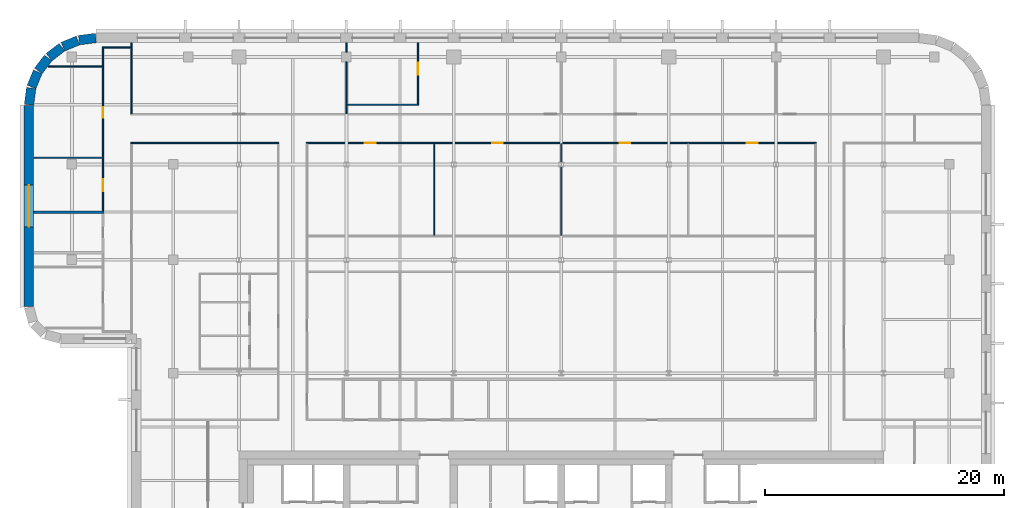
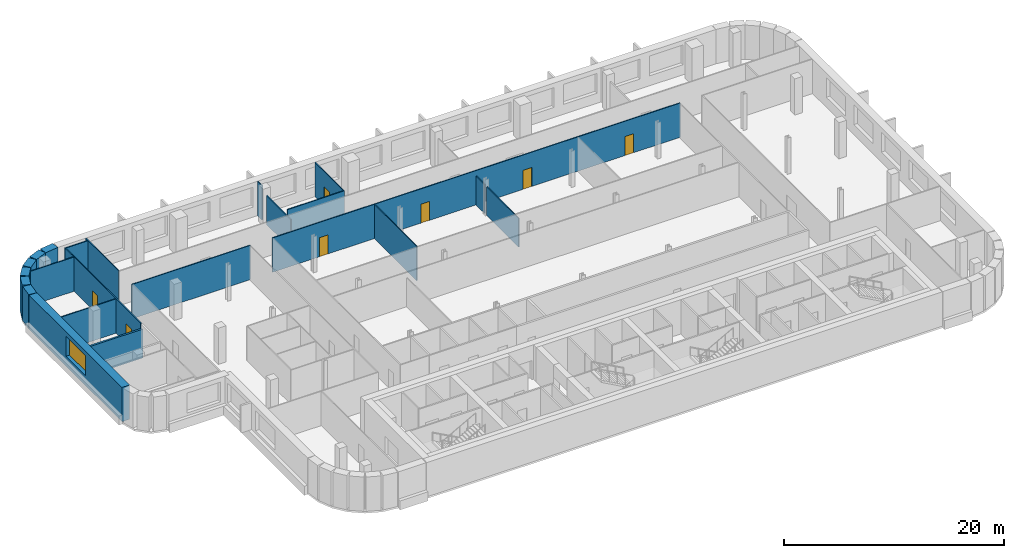
# One storey, part 10 of 16: 22 walls, 7 doors, 1 window, 8 openings.
"""IFC4 building model written with IfcOpenShell, lengths in metres."""

from ifc_helpers import new_model, si_unit, direction, frame, frame_2d, origin, place, context, subcontext, project, spatial, rectangle, extrude, material, layer, layer_set, type_object, element, fill, save


model = new_model("IFC4")

# Units and contexts
model_context = context("Model", 3, precision=1e-05, world=origin(), true_north=direction((0.0, 1.0)))
body_context = subcontext(model_context, "Body", "Model", "MODEL_VIEW")
ifc_project = project(units=[si_unit("LENGTHUNIT", "METRE"), si_unit("AREAUNIT", "SQUARE_METRE"), si_unit("VOLUMEUNIT", "CUBIC_METRE"), si_unit("PLANEANGLEUNIT", "RADIAN"), si_unit("MASSUNIT", "GRAM", prefix="KILO")], contexts=[model_context])

# Site, building, storey
site_placement = place(None, origin())
site = spatial("IfcSite", under=ifc_project, at=site_placement, CompositionType="ELEMENT")
building_placement = place(site_placement, origin())
building = spatial("IfcBuilding", under=site, at=building_placement, Name="Zellij Exchange Tower", CompositionType="ELEMENT")
storey_placement = place(building_placement, frame((0.0, 0.0, 236.5)))
storey = spatial("IfcBuildingStorey", under=building, at=storey_placement, Name="L55", CompositionType="ELEMENT", Elevation=236.5)

# Walls
ifc_material_1 = material(Name="Precast concrete C40/50", Category="concrete")
ifc_layer_1 = layer(ifc_material_1, 0.800048828125)
ifc_layer_set_1 = layer_set([ifc_layer_1], Name="Precast concrete C40/50")
wall_type_1 = type_object("IfcWallType", Name="ENV-EW1 Precast stone-piered wall 800", PredefinedType="SOLIDWALL", material=ifc_layer_set_1)
wall_1_placement = place(storey_placement, frame((-38.999755859375, 32.5966796875, 0.0), z_axis=(0.0, 0.0, 1.0), x_axis=(-0.99144603414, -0.130517283865, 0.0)))
element("IfcWall", 1, at=wall_1_placement, inside=storey, type_object=wall_type_1, Name="fac.L55.15", PredefinedType="SOLIDWALL", context=body_context, shape_type="SweptSolid", body=[
    extrude(rectangle(XDim=1.408447265625, YDim=0.800048828125, at=frame_2d((0.7041015625, 0.0))), origin(), (0.0, 0.0, 1.0), 3.800048828125),
])
wall_2_placement = place(storey_placement, frame((-40.497314453125, 32.3857421875, 0.0), z_axis=(0.0, 0.0, 1.0), x_axis=(-0.923847774587, -0.38276009378, 0.0)))
element("IfcWall", 2, at=wall_2_placement, inside=storey, type_object=wall_type_1, Name="fac.L55.16", PredefinedType="SOLIDWALL", context=body_context, shape_type="SweptSolid", body=[
    extrude(rectangle(XDim=1.35546875, YDim=0.800048828125, at=frame_2d((0.677734375, 0.0))), origin(), (0.0, 0.0, 1.0), 3.800048828125),
])
for number, where, z_axis, x_axis, name in (
    (3, (-41.840087890625, 31.814697265625, 0.0), (0.0, 0.0, 1.0), (-0.793272915452, -0.608866226366, 0.0), "fac.L55.17"),
    (4, (-42.9892578125, 30.91552734375, 0.0), (0.0, 0.0, 1.0), (-0.608866226366, -0.793272915452, 0.0), "fac.L55.18"),
):
    element("IfcWall", number, at=place(storey_placement, frame(where, z_axis=z_axis, x_axis=x_axis)), inside=storey, type_object=wall_type_1, Name=name, PredefinedType="SOLIDWALL", context=body_context, shape_type="SweptSolid", body=[
        extrude(rectangle(XDim=1.355712890625, YDim=0.800048828125, at=frame_2d((0.677734375, 0.0))), origin(), (0.0, 0.0, 1.0), 3.800048828125),
    ])
wall_3_placement = place(storey_placement, frame((-43.866943359375, 29.74951171875, 0.0), z_axis=(0.0, 0.0, 1.0), x_axis=(-0.38276009378, -0.923847774587, 0.0)))
element("IfcWall", 5, at=wall_3_placement, inside=storey, type_object=wall_type_1, Name="fac.L55.19", PredefinedType="SOLIDWALL", context=body_context, shape_type="SweptSolid", body=[
    extrude(rectangle(XDim=1.35546875, YDim=0.800048828125, at=frame_2d((0.677734375, 0.0))), origin(), (0.0, 0.0, 1.0), 3.800048828125),
])
wall_4_placement = place(storey_placement, frame((-44.412841796875, 28.396240234375, 0.0), z_axis=(0.0, 0.0, 1.0), x_axis=(-0.130517283865, -0.99144603414, 0.0)))
element("IfcWall", 6, at=wall_4_placement, inside=storey, type_object=wall_type_1, Name="fac.L55.20", PredefinedType="SOLIDWALL", context=body_context, shape_type="SweptSolid", body=[
    extrude(rectangle(XDim=1.408447265625, YDim=0.800048828125, at=frame_2d((0.7041015625, 0.0))), origin(), (0.0, 0.0, 1.0), 3.800048828125),
])

# Wall, opening, window
wall_5_placement = place(storey_placement, frame((-44.60009765625, 26.947509765625, 0.0), z_axis=(0.0, 0.0, 1.0), x_axis=(0.0, -1.0, 0.0)))
wall_5 = element("IfcWall", 7, at=wall_5_placement, inside=storey, type_object=wall_type_1, Name="fac.L55.21", PredefinedType="SOLIDWALL", context=body_context, shape_type="SweptSolid", body=[
    extrude(rectangle(XDim=16.842041015625, YDim=0.800048828125, at=frame_2d((8.4208984375, 0.0))), origin(), (0.0, 0.0, 1.0), 3.800048828125),
])
opening_1_placement = place(wall_5_placement, frame((6.684326171875, 0.0, 1.10009765625)))
opening_1 = element("IfcOpeningElement", 8, at=opening_1_placement, cuts=wall_5, Name="Opening FZ4.20", PredefinedType="OPENING", context=body_context, shape_type="SweptSolid", body=[
    extrude(rectangle(XDim=3.5, YDim=2.199951171875, at=frame_2d((1.75, 1.10009765625))), frame((0.0, 0.412109375, 0.0), z_axis=(0.0, -1.0, 0.0), x_axis=(1.0, 0.0, 0.0)), (0.0, 0.0, 1.0), 0.823974609375),
])
ifc_material_2 = material(Name="Aluminium frame with insulating glass", Category="aluminium")
window_type = type_object("IfcWindowType", Name="ENV-W7 Window 3500x2200", PartitioningType="SINGLE_PANEL", PredefinedType="WINDOW", material=ifc_material_2)
window_placement = place(opening_1_placement, origin())
window = element("IfcWindow", 9, at=window_placement, inside=storey, type_object=window_type, Name="Window FZ4.20", OverallHeight=2.199951171875, OverallWidth=3.5, PartitioningType="SINGLE_PANEL", PredefinedType="WINDOW", context=body_context, shape_type="SweptSolid", body=[
    extrude(rectangle(XDim=3.5, YDim=2.199951171875, at=frame_2d((1.75, 1.10009765625))), frame((0.0, 0.030029296875, 0.0), z_axis=(0.0, -1.0, 0.0), x_axis=(1.0, 0.0, 0.0)), (0.0, 0.0, 1.0), 0.06005859375),
])
fill(opening_1, window)

# Walls
ifc_material_3 = material(Name="Blockwork partition", Category="masonry")
ifc_layer_2 = layer(ifc_material_3, 0.199951171875)
ifc_layer_set_2 = layer_set([ifc_layer_2], Name="Blockwork partition")
wall_type_2 = type_object("IfcWallType", Name="FIT-BLOCKWORK-200", PredefinedType="PARTITIONING", material=ifc_layer_set_2)
wall_6_placement = place(storey_placement, frame((-44.199951171875, 18.0, 0.0), z_axis=(0.0, 0.0, 1.0), x_axis=(1.0, 0.0, 0.0)))
element("IfcWall", 10, at=wall_6_placement, inside=storey, type_object=wall_type_2, Name="FIT-BLOCKWORK-200 042", PredefinedType="PARTITIONING", context=body_context, shape_type="SweptSolid", body=[
    extrude(rectangle(XDim=5.89990234375, YDim=0.199951171875, at=frame_2d((2.949951171875, 0.0))), origin(), (0.0, 0.0, 1.0), 3.200439453125),
])
ifc_material_4 = material(Name="Gypsum board partition on steel studs", Category="steel")
ifc_layer_3 = layer(ifc_material_4, 0.10009765625)
ifc_layer_set_3 = layer_set([ifc_layer_3], Name="Gypsum board partition on steel studs")
wall_type_3 = type_object("IfcWallType", Name="FIT-PARTITION-100", PredefinedType="PARTITIONING", material=ifc_layer_set_3)
wall_7_placement = place(storey_placement, frame((-10.64990234375, 16.050048828125, 0.0), z_axis=(0.0, 0.0, 1.0), x_axis=(0.0, 1.0, 0.0)))
element("IfcWall", 11, at=wall_7_placement, inside=storey, type_object=wall_type_3, Name="FIT-PARTITION-100 038", PredefinedType="PARTITIONING", context=body_context, shape_type="SweptSolid", body=[
    extrude(rectangle(XDim=7.699951171875, YDim=0.10009765625, at=frame_2d((3.85009765625, 0.0))), origin(), (0.0, 0.0, 1.0), 3.800048828125),
])
wall_8_placement = place(storey_placement, frame((0.0, 16.050048828125, 0.0), z_axis=(0.0, 0.0, 1.0), x_axis=(0.0, 1.0, 0.0)))
element("IfcWall", 12, at=wall_8_placement, inside=storey, type_object=wall_type_3, Name="FIT-PARTITION-100 039", PredefinedType="PARTITIONING", context=body_context, shape_type="SweptSolid", body=[
    extrude(rectangle(XDim=5.7568359375, YDim=0.10009765625, at=frame_2d((2.87841796875, 0.0))), origin(), (0.0, 0.0, 1.0), 3.19287109375),
])
wall_9_placement = place(storey_placement, frame((0.0, 22.193115234375, 0.0), z_axis=(0.0, 0.0, 1.0), x_axis=(0.0, 1.0, 0.0)))
element("IfcWall", 13, at=wall_9_placement, inside=storey, type_object=wall_type_3, Name="FIT-PARTITION-100 040", PredefinedType="PARTITIONING", context=body_context, shape_type="SweptSolid", body=[
    extrude(rectangle(XDim=1.556884765625, YDim=0.10009765625, at=frame_2d((0.7783203125, 0.0))), origin(), (0.0, 0.0, 1.0), 3.19287109375),
])

# Wall, openings, doors
wall_10_placement = place(storey_placement, frame((-38.39990234375, 18.10009765625, 0.0), z_axis=(0.0, 0.0, 1.0), x_axis=(0.0, 1.0, 0.0)))
wall_10 = element("IfcWall", 14, at=wall_10_placement, inside=storey, type_object=wall_type_3, Name="FIT-PARTITION-100 043", PredefinedType="PARTITIONING", context=body_context, shape_type="SweptSolid", body=[
    extrude(rectangle(XDim=13.64990234375, YDim=0.10009765625, at=frame_2d((6.824951171875, 0.0))), origin(), (0.0, 0.0, 1.0), 3.800048828125),
])
opening_2_placement = place(wall_10_placement, frame((1.64990234375, 0.0, 0.0)))
opening_2 = element("IfcOpeningElement", 15, at=opening_2_placement, cuts=wall_10, Name="Opening O4C.19", PredefinedType="OPENING", context=body_context, shape_type="SweptSolid", body=[
    extrude(rectangle(XDim=1.0, YDim=2.10009765625, at=frame_2d((0.5, 1.050048828125))), frame((0.0, 0.06201171875, 0.0), z_axis=(0.0, -1.0, 0.0), x_axis=(1.0, 0.0, 0.0)), (0.0, 0.0, 1.0), 0.1240234375),
])
opening_3_placement = place(wall_10_placement, frame((7.800048828125, 0.0, 0.0)))
opening_3 = element("IfcOpeningElement", 16, at=opening_3_placement, cuts=wall_10, Name="Opening O4C.28", PredefinedType="OPENING", context=body_context, shape_type="SweptSolid", body=[
    extrude(rectangle(XDim=0.89990234375, YDim=2.10009765625, at=frame_2d((0.449951171875, 1.050048828125))), frame((0.0, 0.06201171875, 0.0), z_axis=(0.0, -1.0, 0.0), x_axis=(1.0, 0.0, 0.0)), (0.0, 0.0, 1.0), 0.1240234375),
])
ifc_material_5 = material(Name="Timber door set", Category="wood")
door_type_1 = type_object("IfcDoorType", Name="FIT-D1-ROOM-900X2100", OperationType="SINGLE_SWING_LEFT", PredefinedType="DOOR", material=ifc_material_5)
door_1_placement = place(opening_3_placement, origin())
door_1 = element("IfcDoor", 17, at=door_1_placement, inside=storey, type_object=door_type_1, Name="Door O4C.28", OperationType="SINGLE_SWING_RIGHT", OverallHeight=2.10009765625, OverallWidth=0.89990234375, PredefinedType="DOOR", context=body_context, shape_type="SweptSolid", body=[
    extrude(rectangle(XDim=0.89990234375, YDim=2.10009765625, at=frame_2d((0.449951171875, 1.050048828125))), frame((0.0, 0.02490234375, 0.0), z_axis=(0.0, -1.0, 0.0), x_axis=(1.0, 0.0, 0.0)), (0.0, 0.0, 1.0), 0.050048828125),
])
fill(opening_3, door_1)
door_type_2 = type_object("IfcDoorType", Name="FIT-D2-WIDE-1000X2100", OperationType="SINGLE_SWING_LEFT", PredefinedType="DOOR", material=ifc_material_5)
door_2_placement = place(opening_2_placement, origin())
door_2 = element("IfcDoor", 18, at=door_2_placement, inside=storey, type_object=door_type_2, Name="Door O4C.19", OperationType="SINGLE_SWING_RIGHT", OverallHeight=2.10009765625, OverallWidth=1.0, PredefinedType="DOOR", context=body_context, shape_type="SweptSolid", body=[
    extrude(rectangle(XDim=1.0, YDim=2.10009765625, at=frame_2d((0.5, 1.050048828125))), frame((0.0, 0.02490234375, 0.0), z_axis=(0.0, -1.0, 0.0), x_axis=(1.0, 0.0, 0.0)), (0.0, 0.0, 1.0), 0.050048828125),
])
fill(opening_2, door_2)

# Walls
wall_11_placement = place(storey_placement, frame((-44.199951171875, 22.550048828125, 0.0), z_axis=(0.0, 0.0, 1.0), x_axis=(1.0, 0.0, 0.0)))
element("IfcWall", 19, at=wall_11_placement, inside=storey, type_object=wall_type_3, Name="FIT-PARTITION-100 044", PredefinedType="PARTITIONING", context=body_context, shape_type="SweptSolid", body=[
    extrude(rectangle(XDim=5.75, YDim=0.10009765625, at=frame_2d((2.875, 0.0))), origin(), (0.0, 0.0, 1.0), 3.800048828125),
])
wall_12_placement = place(storey_placement, frame((-36.050048828125, 23.800048828125, 0.0), z_axis=(0.0, 0.0, 1.0), x_axis=(1.0, 0.0, 0.0)))
element("IfcWall", 20, at=wall_12_placement, inside=storey, type_object=wall_type_3, Name="FIT-PARTITION-100 045", PredefinedType="PARTITIONING", context=body_context, shape_type="SweptSolid", body=[
    extrude(rectangle(XDim=12.400146484375, YDim=0.10009765625, at=frame_2d((6.2001953125, 0.0))), origin(), (0.0, 0.0, 1.0), 3.800048828125),
])

# Wall, openings, doors
wall_13_placement = place(storey_placement, frame((-21.35009765625, 23.800048828125, 0.0), z_axis=(0.0, 0.0, 1.0), x_axis=(1.0, 0.0, 0.0)))
wall_13 = element("IfcWall", 21, at=wall_13_placement, inside=storey, type_object=wall_type_3, Name="FIT-PARTITION-100 046", PredefinedType="PARTITIONING", context=body_context, shape_type="SweptSolid", body=[
    extrude(rectangle(XDim=42.7001953125, YDim=0.10009765625, at=frame_2d((21.35009765625, 0.0))), origin(), (0.0, 0.0, 1.0), 3.800048828125),
])
opening_4_placement = place(wall_13_placement, frame((4.89990234375, 0.0, 0.0)))
opening_4 = element("IfcOpeningElement", 22, at=opening_4_placement, cuts=wall_13, Name="Opening O4C.20", PredefinedType="OPENING", context=body_context, shape_type="SweptSolid", body=[
    extrude(rectangle(XDim=0.89990234375, YDim=2.10009765625, at=frame_2d((0.449951171875, 1.050048828125))), frame((0.0, 0.06201171875, 0.0), z_axis=(0.0, -1.0, 0.0), x_axis=(1.0, 0.0, 0.0)), (0.0, 0.0, 1.0), 0.1240234375),
])
opening_5_placement = place(wall_13_placement, frame((15.550048828125, 0.0, 0.0)))
opening_5 = element("IfcOpeningElement", 23, at=opening_5_placement, cuts=wall_13, Name="Opening O4C.21", PredefinedType="OPENING", context=body_context, shape_type="SweptSolid", body=[
    extrude(rectangle(XDim=0.89990234375, YDim=2.10009765625, at=frame_2d((0.449951171875, 1.050048828125))), frame((0.0, 0.06201171875, 0.0), z_axis=(0.0, -1.0, 0.0), x_axis=(1.0, 0.0, 0.0)), (0.0, 0.0, 1.0), 0.1240234375),
])
opening_6_placement = place(wall_13_placement, frame((26.25, 0.0, 0.0)))
opening_6 = element("IfcOpeningElement", 24, at=opening_6_placement, cuts=wall_13, Name="Opening O4C.22", PredefinedType="OPENING", context=body_context, shape_type="SweptSolid", body=[
    extrude(rectangle(XDim=0.89990234375, YDim=2.10009765625, at=frame_2d((0.449951171875, 1.050048828125))), frame((0.0, 0.06201171875, 0.0), z_axis=(0.0, -1.0, 0.0), x_axis=(1.0, 0.0, 0.0)), (0.0, 0.0, 1.0), 0.1240234375),
])
opening_7_placement = place(wall_13_placement, frame((36.89990234375, 0.0, 0.0)))
opening_7 = element("IfcOpeningElement", 25, at=opening_7_placement, cuts=wall_13, Name="Opening O4C.23", PredefinedType="OPENING", context=body_context, shape_type="SweptSolid", body=[
    extrude(rectangle(XDim=0.89990234375, YDim=2.10009765625, at=frame_2d((0.449951171875, 1.050048828125))), frame((0.0, 0.06201171875, 0.0), z_axis=(0.0, -1.0, 0.0), x_axis=(1.0, 0.0, 0.0)), (0.0, 0.0, 1.0), 0.1240234375),
])
door_3_placement = place(opening_4_placement, origin())
door_3 = element("IfcDoor", 26, at=door_3_placement, inside=storey, type_object=door_type_1, Name="Door O4C.20", OperationType="SINGLE_SWING_LEFT", OverallHeight=2.10009765625, OverallWidth=0.89990234375, PredefinedType="DOOR", context=body_context, shape_type="SweptSolid", body=[
    extrude(rectangle(XDim=0.89990234375, YDim=2.10009765625, at=frame_2d((0.449951171875, 1.050048828125))), frame((0.0, 0.02490234375, 0.0), z_axis=(0.0, -1.0, 0.0), x_axis=(1.0, 0.0, 0.0)), (0.0, 0.0, 1.0), 0.050048828125),
])
fill(opening_4, door_3)
door_4_placement = place(opening_5_placement, origin())
door_4 = element("IfcDoor", 27, at=door_4_placement, inside=storey, type_object=door_type_1, Name="Door O4C.21", OperationType="SINGLE_SWING_LEFT", OverallHeight=2.10009765625, OverallWidth=0.89990234375, PredefinedType="DOOR", context=body_context, shape_type="SweptSolid", body=[
    extrude(rectangle(XDim=0.89990234375, YDim=2.10009765625, at=frame_2d((0.449951171875, 1.050048828125))), frame((0.0, 0.02490234375, 0.0), z_axis=(0.0, -1.0, 0.0), x_axis=(1.0, 0.0, 0.0)), (0.0, 0.0, 1.0), 0.050048828125),
])
fill(opening_5, door_4)
door_5_placement = place(opening_6_placement, origin())
door_5 = element("IfcDoor", 28, at=door_5_placement, inside=storey, type_object=door_type_1, Name="Door O4C.22", OperationType="SINGLE_SWING_RIGHT", OverallHeight=2.10009765625, OverallWidth=0.89990234375, PredefinedType="DOOR", context=body_context, shape_type="SweptSolid", body=[
    extrude(rectangle(XDim=0.89990234375, YDim=2.10009765625, at=frame_2d((0.449951171875, 1.050048828125))), frame((0.0, 0.02490234375, 0.0), z_axis=(0.0, -1.0, 0.0), x_axis=(1.0, 0.0, 0.0)), (0.0, 0.0, 1.0), 0.050048828125),
])
fill(opening_6, door_5)
door_6_placement = place(opening_7_placement, origin())
door_6 = element("IfcDoor", 29, at=door_6_placement, inside=storey, type_object=door_type_1, Name="Door O4C.23", OperationType="SINGLE_SWING_RIGHT", OverallHeight=2.10009765625, OverallWidth=0.89990234375, PredefinedType="DOOR", context=body_context, shape_type="SweptSolid", body=[
    extrude(rectangle(XDim=0.89990234375, YDim=2.10009765625, at=frame_2d((0.449951171875, 1.050048828125))), frame((0.0, 0.02490234375, 0.0), z_axis=(0.0, -1.0, 0.0), x_axis=(1.0, 0.0, 0.0)), (0.0, 0.0, 1.0), 0.050048828125),
])
fill(opening_7, door_6)

# Walls
wall_14_placement = place(storey_placement, frame((-36.0, 26.25, 0.0), z_axis=(0.0, 0.0, 1.0), x_axis=(0.0, 1.0, 0.0)))
element("IfcWall", 30, at=wall_14_placement, inside=storey, type_object=wall_type_3, Name="FIT-PARTITION-100 050", PredefinedType="PARTITIONING", context=body_context, shape_type="SweptSolid", body=[
    extrude(rectangle(XDim=5.949951171875, YDim=0.10009765625, at=frame_2d((2.97509765625, 0.0))), origin(), (0.0, 0.0, 1.0), 3.800048828125),
])
wall_15_placement = place(storey_placement, frame((-18.0, 26.25, 0.0), z_axis=(0.0, 0.0, 1.0), x_axis=(0.0, 1.0, 0.0)))
element("IfcWall", 31, at=wall_15_placement, inside=storey, type_object=wall_type_3, Name="FIT-PARTITION-100 051", PredefinedType="PARTITIONING", context=body_context, shape_type="SweptSolid", body=[
    extrude(rectangle(XDim=4.35009765625, YDim=0.10009765625, at=frame_2d((2.175048828125, 0.0))), origin(), (0.0, 0.0, 1.0), 3.19287109375),
])
wall_16_placement = place(storey_placement, frame((-18.0, 31.39990234375, 0.0), z_axis=(0.0, 0.0, 1.0), x_axis=(0.0, 1.0, 0.0)))
element("IfcWall", 32, at=wall_16_placement, inside=storey, type_object=wall_type_3, Name="FIT-PARTITION-100 052", PredefinedType="PARTITIONING", context=body_context, shape_type="SweptSolid", body=[
    extrude(rectangle(XDim=0.800048828125, YDim=0.10009765625, at=frame_2d((0.39990234375, 0.0))), origin(), (0.0, 0.0, 1.0), 3.800048828125),
])
wall_17_placement = place(storey_placement, frame((-17.949951171875, 27.0, 0.0), z_axis=(0.0, 0.0, 1.0), x_axis=(1.0, 0.0, 0.0)))
element("IfcWall", 33, at=wall_17_placement, inside=storey, type_object=wall_type_3, Name="FIT-PARTITION-100 057", PredefinedType="PARTITIONING", context=body_context, shape_type="SweptSolid", body=[
    extrude(rectangle(XDim=6.0, YDim=0.10009765625, at=frame_2d((3.0, 0.0))), origin(), (0.0, 0.0, 1.0), 3.800048828125),
])

# Wall, opening, door
wall_18_placement = place(storey_placement, frame((-12.0, 27.050048828125, 0.0), z_axis=(0.0, 0.0, 1.0), x_axis=(0.0, 1.0, 0.0)))
wall_18 = element("IfcWall", 34, at=wall_18_placement, inside=storey, type_object=wall_type_3, Name="FIT-PARTITION-100 058", PredefinedType="PARTITIONING", context=body_context, shape_type="SweptSolid", body=[
    extrude(rectangle(XDim=5.14990234375, YDim=0.10009765625, at=frame_2d((2.574951171875, 0.0))), origin(), (0.0, 0.0, 1.0), 3.800048828125),
])
opening_8_placement = place(wall_18_placement, frame((2.449951171875, 0.0, 0.0)))
opening_8 = element("IfcOpeningElement", 35, at=opening_8_placement, cuts=wall_18, Name="Opening O4C.29", PredefinedType="OPENING", context=body_context, shape_type="SweptSolid", body=[
    extrude(rectangle(XDim=1.0, YDim=2.10009765625, at=frame_2d((0.5, 1.050048828125))), frame((0.0, 0.06201171875, 0.0), z_axis=(0.0, -1.0, 0.0), x_axis=(1.0, 0.0, 0.0)), (0.0, 0.0, 1.0), 0.1240234375),
])
door_7_placement = place(opening_8_placement, origin())
door_7 = element("IfcDoor", 36, at=door_7_placement, inside=storey, type_object=door_type_2, Name="Door O4C.29", OperationType="SINGLE_SWING_LEFT", OverallHeight=2.10009765625, OverallWidth=1.0, PredefinedType="DOOR", context=body_context, shape_type="SweptSolid", body=[
    extrude(rectangle(XDim=1.0, YDim=2.10009765625, at=frame_2d((0.5, 1.050048828125))), frame((0.0, 0.02490234375, 0.0), z_axis=(0.0, -1.0, 0.0), x_axis=(1.0, 0.0, 0.0)), (0.0, 0.0, 1.0), 0.050048828125),
])
fill(opening_8, door_7)

# Walls
wall_19_placement = place(storey_placement, frame((-43.0, 30.199951171875, 0.0), z_axis=(0.0, 0.0, 1.0), x_axis=(1.0, 0.0, 0.0)))
element("IfcWall", 37, at=wall_19_placement, inside=storey, type_object=wall_type_3, Name="FIT-PARTITION-100 059", PredefinedType="PARTITIONING", context=body_context, shape_type="SweptSolid", body=[
    extrude(rectangle(XDim=4.550048828125, YDim=0.10009765625, at=frame_2d((2.27490234375, 0.0))), origin(), (0.0, 0.0, 1.0), 3.800048828125),
])
wall_20_placement = place(storey_placement, frame((-38.449951171875, 31.800048828125, 0.0), z_axis=(0.0, 0.0, 1.0), x_axis=(1.0, 0.0, 0.0)))
element("IfcWall", 38, at=wall_20_placement, inside=storey, type_object=wall_type_3, Name="FIT-PARTITION-100 060", PredefinedType="PARTITIONING", context=body_context, shape_type="SweptSolid", body=[
    extrude(rectangle(XDim=2.39990234375, YDim=0.10009765625, at=frame_2d((1.199951171875, 0.0))), origin(), (0.0, 0.0, 1.0), 3.800048828125),
])

save(model, "model.ifc")
